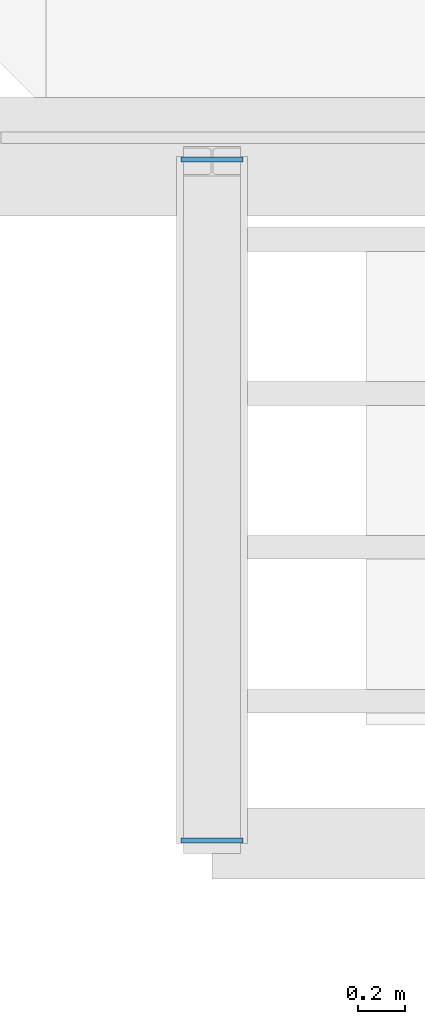
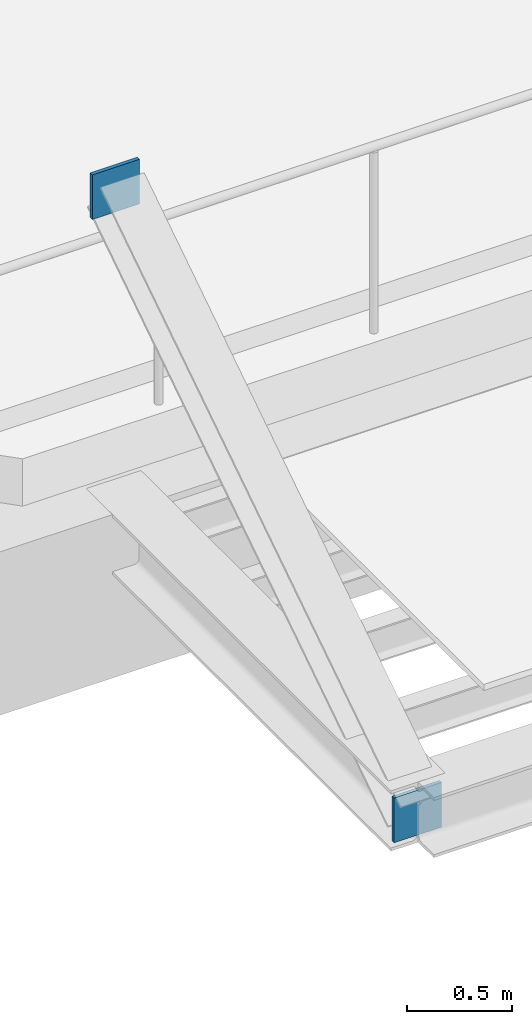
# One storey, part 80 of 104: 2 plates.
"""IFC4 building model written with IfcOpenShell, lengths in metres."""

from ifc_helpers import new_model, si_unit, direction, frame, origin, origin_2d, place, context, subcontext, project, spatial, rectangle, extrude, material, layer, layer_set, type_object, element, save


model = new_model("IFC4")

# Units and contexts
model_context = context("Model", 3, precision=1e-05, world=origin(), true_north=direction((0.0, 1.0)))
body_context = subcontext(model_context, "Body", "Model", "MODEL_VIEW")
ifc_project = project(units=[si_unit("LENGTHUNIT", "METRE"), si_unit("AREAUNIT", "SQUARE_METRE"), si_unit("VOLUMEUNIT", "CUBIC_METRE"), si_unit("PLANEANGLEUNIT", "RADIAN"), si_unit("MASSUNIT", "GRAM", prefix="KILO")], contexts=[model_context])

# Site, building, storey
site_placement = place(None, origin())
site = spatial("IfcSite", under=ifc_project, at=site_placement, CompositionType="ELEMENT")
building_placement = place(site_placement, origin())
building = spatial("IfcBuilding", under=site, at=building_placement, Name="Kaelora Sail Theatre", CompositionType="ELEMENT")
storey_placement = place(building_placement, frame((0.0, 0.0, 5.39990234375)))
storey = spatial("IfcBuildingStorey", under=building, at=storey_placement, Name="L01", CompositionType="ELEMENT", Elevation=5.39990234375)

# Plates
ifc_material = material(Name="Steel S355", Category="steel")
ifc_layer = layer(ifc_material, 0.02001953125)
ifc_layer_set = layer_set([ifc_layer], Name="Steel S355")
plate_type = type_object("IfcPlateType", Name="STR-PL-EP-20", PredefinedType="SHEET", material=ifc_layer_set)
for number, where, z_axis, x_axis, name in (
    (1, (59.5, 38.6875, 1.27490234375), (0.0, 0.0, 1.0), (0.0, -1.0, 0.0), "Entrance canopy inclined hanger tie W end cap plate A"),
    (2, (59.5, 35.8125, -0.60498046875), (0.0, 0.0, 1.0), (0.0, -1.0, 0.0), "Entrance canopy inclined hanger tie W end cap plate B"),
):
    element("IfcPlate", number, at=place(storey_placement, frame(where, z_axis=z_axis, x_axis=x_axis)), inside=storey, type_object=plate_type, Name=name, PredefinedType="SHEET", context=body_context, shape_type="SweptSolid", body=[
        extrude(rectangle(XDim=0.02001953125, YDim=0.260009765625, at=origin_2d()), origin(), (0.0, 0.0, 1.0), 0.260009765625),
    ])

save(model, "model.ifc")
